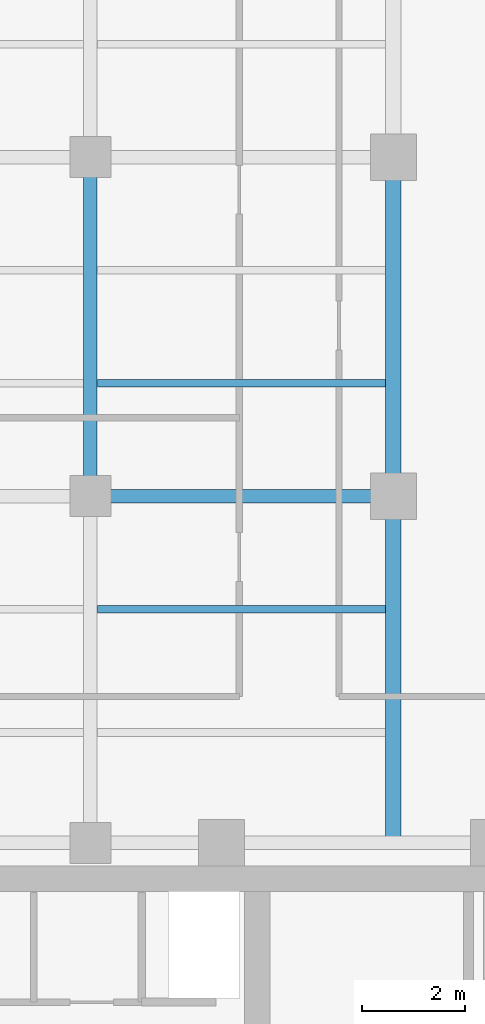
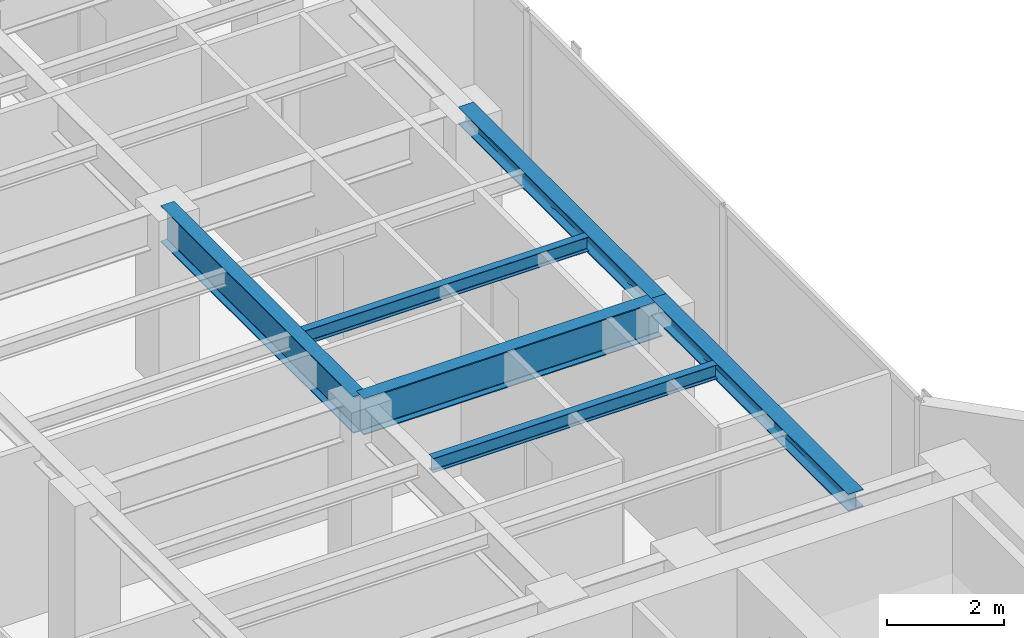
# One storey, part 8 of 22: 6 beams.
"""IFC4 building model written with IfcOpenShell, lengths in metres."""

import ifcopenshell
import ifcopenshell.guid

model = None  # the IFC model being written
_history = None  # IfcOwnerHistory: only IFC2X3 demands one
_inside = {}  # id of a spatial element -> (the spatial element, [elements in it])
_under = {}  # id of a project, library or spatial element -> (it, [spatial elements below it])
_declared = {}  # id of a project -> (the project, [libraries it declares])
_typed = {}  # id of a type object -> (the type object, [elements of that type])
_made_of = {}  # id of a material, layer set ... -> (it, [elements and type objects made of it])


def new_model(schema):
    """Start an empty IFC model of exactly this schema.

    Asked for "IFC4X3", IfcOpenShell would pick the latest addendum, in which some entities
    have other attributes; the version numbers below select the first issue.
    IFC2X3 requires an IfcOwnerHistory on every rooted entity: one is made here for all.
    """
    global model, _history
    if schema == "IFC4X3":
        model = ifcopenshell.file(schema_version=(4, 3, 0, 0))
    else:
        model = ifcopenshell.file(schema=schema)
    _inside.clear()
    _under.clear()
    _declared.clear()
    _typed.clear()
    _made_of.clear()
    _history = None
    if model.schema == "IFC2X3":
        org = make("IfcOrganization", Name="unknown")
        user = make(
            "IfcPersonAndOrganization",
            ThePerson=make("IfcPerson", FamilyName="unknown"),
            TheOrganization=org,
        )
        app = make(
            "IfcApplication",
            ApplicationDeveloper=org,
            Version="unknown",
            ApplicationFullName="unknown",
            ApplicationIdentifier="unknown",
        )
        _history = make(
            "IfcOwnerHistory",
            OwningUser=user,
            OwningApplication=app,
            ChangeAction="ADDED",
            CreationDate=0,
        )
    return model


def make(cls, **values):
    """One entity of the class cls with the attributes given. An attribute that is None is left unset."""
    return model.create_entity(
        cls, **{name: value for name, value in values.items() if value is not None}
    )


def rooted(cls, **values):
    """An entity with a GlobalId (a new one), such as an element, a storey or a relation."""
    return make(cls, GlobalId=ifcopenshell.guid.new(), OwnerHistory=_history, **values)


def si_unit(unit_type, name, prefix=None):
    """IfcSIUnit, for example si_unit("LENGTHUNIT", "METRE", prefix="MILLI")."""
    return make("IfcSIUnit", UnitType=unit_type, Prefix=prefix, Name=name)


def assignment(units):
    """IfcUnitAssignment: the units of a project."""
    return None if units is None else make("IfcUnitAssignment", Units=units)


def point(xyz):
    """IfcCartesianPoint."""
    return None if xyz is None else make("IfcCartesianPoint", Coordinates=xyz)


def direction(xyz):
    """IfcDirection."""
    return None if xyz is None else make("IfcDirection", DirectionRatios=xyz)


def frame(location, z_axis=None, x_axis=None):
    """IfcAxis2Placement3D, a coordinate frame: its origin and axes. An axis left out is left unset."""
    return make(
        "IfcAxis2Placement3D",
        Location=point(location),
        Axis=direction(z_axis),
        RefDirection=direction(x_axis),
    )


def frame_2d(location, x_axis=None):
    """IfcAxis2Placement2D, a coordinate frame in the plane: its origin and x axis."""
    return make(
        "IfcAxis2Placement2D", Location=point(location), RefDirection=direction(x_axis)
    )


def origin():
    """The frame at (0, 0, 0) with its axes left unset."""
    return frame((0.0, 0.0, 0.0))


def origin_2d():
    """The frame at (0, 0) in the plane with its x axis left unset."""
    return frame_2d((0.0, 0.0))


def place(relative_to, where):
    """IfcLocalPlacement: puts the frame where relative to a parent placement (None: the world)."""
    return make(
        "IfcLocalPlacement", PlacementRelTo=relative_to, RelativePlacement=where
    )


def context(
    kind, dimensions, precision=None, world=None, true_north=None, identifier=None
):
    """IfcGeometricRepresentationContext, for example the 3D "Model" context."""
    return make(
        "IfcGeometricRepresentationContext",
        ContextIdentifier=identifier,
        ContextType=kind,
        CoordinateSpaceDimension=dimensions,
        Precision=precision,
        WorldCoordinateSystem=world,
        TrueNorth=true_north,
    )


def subcontext(parent, identifier, kind, view, scale=None):
    """IfcGeometricRepresentationSubContext, for example "Body" below "Model"."""
    return make(
        "IfcGeometricRepresentationSubContext",
        ContextIdentifier=identifier,
        ContextType=kind,
        ParentContext=parent,
        TargetScale=scale,
        TargetView=view,
    )


def project(units=None, contexts=None):
    """IfcProject with its units and contexts."""
    return rooted(
        "IfcProject",
        Name="project",
        RepresentationContexts=contexts,
        UnitsInContext=assignment(units),
    )


def spatial(cls, under=None, at=None, **own):
    """A site, building, storey or space (cls), placed at a placement, below another one or the project."""
    s = rooted(cls, ObjectPlacement=at, **own)
    if under is not None:
        _under.setdefault(under.id(), (under, []))[1].append(s)
    return s


def profile(cls, at=None, kind="AREA", **sizes):
    """A parametric profile (cls). Its sizes go by their IFC names, for example OverallWidth=200.0."""
    return make(cls, ProfileType=kind, Position=at, **sizes)


def i_section(**sizes):
    """IfcIShapeProfileDef."""
    return profile("IfcIShapeProfileDef", **sizes)


def extrude(swept, where, along, depth):
    """IfcExtrudedAreaSolid: the profile swept, set in the frame where, extruded along a direction by depth."""
    return make(
        "IfcExtrudedAreaSolid",
        SweptArea=swept,
        Position=where,
        ExtrudedDirection=direction(along),
        Depth=depth,
    )


def shape(context_of_items, identifier, shape_type, items):
    """IfcShapeRepresentation: the items that make up one representation, for example the "Body"."""
    return make(
        "IfcShapeRepresentation",
        ContextOfItems=context_of_items,
        RepresentationIdentifier=identifier,
        RepresentationType=shape_type,
        Items=items,
    )


def material(Name=None, Category=None):
    """IfcMaterial."""
    return make("IfcMaterial", Name=Name, Category=Category)


def material_profile(
    of_material, cross_section, Name=None, Category=None, Priority=None
):
    """IfcMaterialProfile: a cross section and its material."""
    return make(
        "IfcMaterialProfile",
        Name=Name,
        Material=of_material,
        Profile=cross_section,
        Priority=Priority,
        Category=Category,
    )


def profile_set(profiles, Name=None, composite=None):
    """IfcMaterialProfileSet."""
    return make(
        "IfcMaterialProfileSet",
        Name=Name,
        MaterialProfiles=profiles,
        CompositeProfile=composite,
    )


def made_of(thing, what):
    """Note that an element or type object is made of a material, layer set ...; save() writes the relation."""
    if what is not None:
        _made_of.setdefault(what.id(), (what, []))[1].append(thing)
    return thing


def type_object(cls, material=None, **own):
    """A type object (cls), such as IfcWallType, which elements share."""
    return made_of(rooted(cls, **own), material)


def element(
    cls,
    number,
    at=None,
    inside=None,
    cuts=None,
    type_object=None,
    material=None,
    context=None,
    identifier="Body",
    shape_type=None,
    held_by="IfcProductDefinitionShape",
    body=None,
    shapes=None,
    **own,
):
    """One element of the class cls, such as IfcWall. Its Tag is "e" and its number.

    at: its placement. inside: the storey or other place that contains it. cuts: it is an
    opening in that element (IfcRelVoidsElement). A single representation is given by context,
    identifier, shape_type and body (its items); several are given by shapes. held_by: the class
    of the entity that holds the representations. save() writes the other relations.
    """
    e = rooted(cls, Tag="e%d" % number, ObjectPlacement=at, **own)
    if body is not None:
        shapes = [shape(context, identifier, shape_type, body)]
    if shapes is not None:
        e.Representation = make(held_by, Representations=shapes)
    if inside is not None:
        _inside.setdefault(inside.id(), (inside, []))[1].append(e)
    if cuts is not None:
        rooted(
            "IfcRelVoidsElement", RelatingBuildingElement=cuts, RelatedOpeningElement=e
        )
    if type_object is not None:
        _typed.setdefault(type_object.id(), (type_object, []))[1].append(e)
    return made_of(e, material)


def aggregate(whole, parts):
    """IfcRelAggregates: a whole, such as a stair, and the parts it consists of."""
    return rooted("IfcRelAggregates", RelatingObject=whole, RelatedObjects=parts)


def save(model, path):
    """Write the relations noted so far, then the file.

    IfcRelAggregates (storeys below a building ...), IfcRelContainedInSpatialStructure (elements
    in a storey), IfcRelDefinesByType, IfcRelAssociatesMaterial and IfcRelDeclares: one each for
    every whole, place, type object, material and project.
    """
    for whole, parts in _under.values():
        aggregate(whole, parts)
    for where, things in _inside.values():
        rooted(
            "IfcRelContainedInSpatialStructure",
            RelatedElements=things,
            RelatingStructure=where,
        )
    for kind, things in _typed.values():
        rooted("IfcRelDefinesByType", RelatedObjects=things, RelatingType=kind)
    for what, things in _made_of.values():
        rooted("IfcRelAssociatesMaterial", RelatedObjects=things, RelatingMaterial=what)
    for by, libraries in _declared.values():
        rooted("IfcRelDeclares", RelatingContext=by, RelatedDefinitions=libraries)
    model.write(path)


model = new_model("IFC4")

# Units and contexts
model_context = context("Model", 3, precision=1e-05, world=origin(), true_north=direction((0.0, 1.0)))
body_context = subcontext(model_context, "Body", "Model", "MODEL_VIEW")
ifc_project = project(units=[si_unit("LENGTHUNIT", "METRE"), si_unit("AREAUNIT", "SQUARE_METRE"), si_unit("VOLUMEUNIT", "CUBIC_METRE"), si_unit("PLANEANGLEUNIT", "RADIAN"), si_unit("MASSUNIT", "GRAM", prefix="KILO")], contexts=[model_context])

# Site, building, storey
site_placement = place(None, origin())
site = spatial("IfcSite", under=ifc_project, at=site_placement, CompositionType="ELEMENT")
building_placement = place(site_placement, origin())
building = spatial("IfcBuilding", under=site, at=building_placement, Name="Kolvaren Waterfront Exchange", CompositionType="ELEMENT")
storey_placement = place(building_placement, frame((0.0, 0.0, 274.199951171875)))
storey = spatial("IfcBuildingStorey", under=building, at=storey_placement, Name="L70", CompositionType="ELEMENT", Elevation=274.199951171875)

# Beams
ifc_material = material(Name="Steel S355", Category="steel")
ifc_material_profile_1 = material_profile(ifc_material, i_section(OverallWidth=0.300048828125, OverallDepth=0.360107421875, WebThickness=0.012451171875, FlangeThickness=0.0224609375, FilletRadius=0.027099609375, at=origin_2d()), Name="HEB360")
ifc_profile_set_1 = profile_set([ifc_material_profile_1], Name="Steel S355")
beam_type_1 = type_object("IfcBeamType", Name="STR-BM-HEB360", PredefinedType="SPANDREL", material=ifc_profile_set_1)
beam_1_placement = place(storey_placement, frame((18.800048828125, 24.449951171875, 3.380126953125), z_axis=(0.0, 1.0, 0.0), x_axis=(-1.0, 0.0, 0.0)))
element("IfcBeam", 1, at=beam_1_placement, inside=storey, type_object=beam_type_1, Name="L70 north-arm edge beam 1", PredefinedType="SPANDREL", context=body_context, shape_type="SweptSolid", body=[
    extrude(i_section(OverallWidth=0.300048828125, OverallDepth=0.360107421875, WebThickness=0.012451171875, FlangeThickness=0.0224609375, FilletRadius=0.027099609375, at=origin_2d()), origin(), (0.0, 0.0, 1.0), 6.75),
])
beam_2_placement = place(storey_placement, frame((18.800048828125, 31.199951171875, 3.380126953125), z_axis=(0.0, 1.0, 0.0), x_axis=(-1.0, 0.0, 0.0)))
element("IfcBeam", 2, at=beam_2_placement, inside=storey, type_object=beam_type_1, Name="L70 north-arm edge beam 2", PredefinedType="SPANDREL", context=body_context, shape_type="SweptSolid", body=[
    extrude(i_section(OverallWidth=0.300048828125, OverallDepth=0.360107421875, WebThickness=0.012451171875, FlangeThickness=0.0224609375, FilletRadius=0.027099609375, at=origin_2d()), origin(), (0.0, 0.0, 1.0), 6.60009765625),
])
ifc_material_profile_2 = material_profile(ifc_material, i_section(OverallWidth=0.14990234375, OverallDepth=0.300048828125, WebThickness=0.007080078125, FlangeThickness=0.0107421875, FilletRadius=0.014892578125, at=origin_2d()), Name="IPE300")
ifc_profile_set_2 = profile_set([ifc_material_profile_2], Name="Steel S355")
beam_type_2 = type_object("IfcBeamType", Name="STR-BM-IPE300", PredefinedType="JOIST", material=ifc_profile_set_2)
for number, where, z_axis, x_axis, name in (
    (3, (13.035400390625, 29.0, 3.41015625), (1.0, 0.0, 0.0), (0.0, 1.0, 0.0), "L70 north-arm composite joist 2B"),
    (4, (13.035400390625, 33.39990234375, 3.41015625), (1.0, 0.0, 0.0), (0.0, 1.0, 0.0), "L70 north-arm composite joist 3B"),
):
    element("IfcBeam", number, at=place(storey_placement, frame(where, z_axis=z_axis, x_axis=x_axis)), inside=storey, type_object=beam_type_2, Name=name, PredefinedType="JOIST", context=body_context, shape_type="SweptSolid", body=[
        extrude(i_section(OverallWidth=0.14990234375, OverallDepth=0.300048828125, WebThickness=0.007080078125, FlangeThickness=0.0107421875, FilletRadius=0.014892578125, at=origin_2d()), origin(), (0.0, 0.0, 1.0), 5.612548828125),
    ])
ifc_material_profile_3 = material_profile(ifc_material, i_section(OverallWidth=0.26708984375, OverallDepth=0.761962890625, WebThickness=0.014404296875, FlangeThickness=0.021484375, FilletRadius=0.01708984375, at=origin_2d()), Name="IPE750x173")
ifc_profile_set_3 = profile_set([ifc_material_profile_3], Name="Steel S355")
beam_type_3 = type_object("IfcBeamType", Name="STR-BM-IPE750", PredefinedType="BEAM", material=ifc_profile_set_3)
beam_3_placement = place(storey_placement, frame((12.89990234375, 31.199951171875, 3.178955078125), z_axis=(1.0, 0.0, 0.0), x_axis=(0.0, 1.0, 0.0)))
element("IfcBeam", 5, at=beam_3_placement, inside=storey, type_object=beam_type_3, Name="L70 north-arm girder 2B", PredefinedType="BEAM", context=body_context, shape_type="SweptSolid", body=[
    extrude(i_section(OverallWidth=0.26708984375, OverallDepth=0.761962890625, WebThickness=0.014404296875, FlangeThickness=0.021484375, FilletRadius=0.01708984375, at=origin_2d()), origin(), (0.0, 0.0, 1.0), 5.900146484375),
])
beam_4_placement = place(storey_placement, frame((12.89990234375, 31.199951171875, 3.178955078125), z_axis=(0.0, 1.0, 0.0), x_axis=(-1.0, 0.0, 0.0)))
element("IfcBeam", 6, at=beam_4_placement, inside=storey, type_object=beam_type_3, Name="L70 north-arm edge beam 2", PredefinedType="BEAM", context=body_context, shape_type="SweptSolid", body=[
    extrude(i_section(OverallWidth=0.26708984375, OverallDepth=0.761962890625, WebThickness=0.014404296875, FlangeThickness=0.021484375, FilletRadius=0.01708984375, at=origin_2d()), origin(), (0.0, 0.0, 1.0), 6.60009765625),
])

save(model, "model.ifc")
